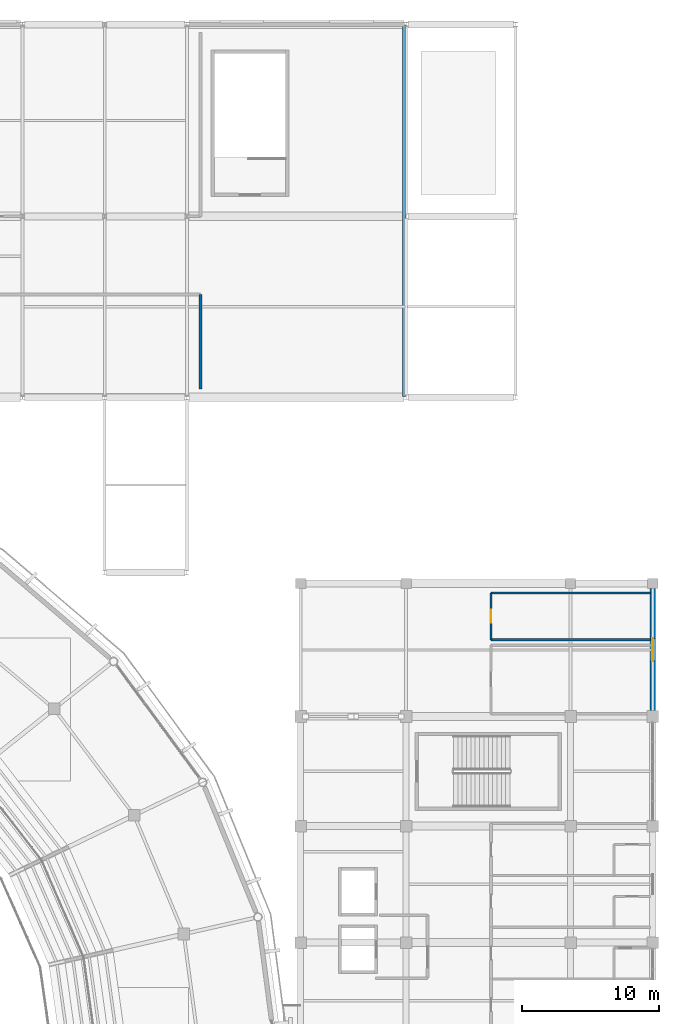
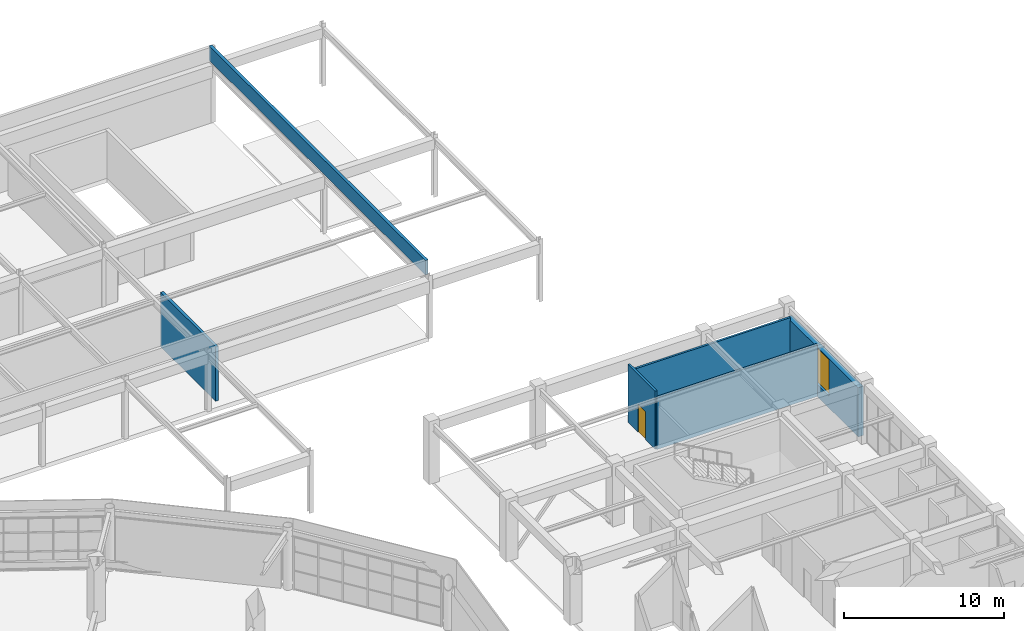
# One storey, part 106 of 122: 6 walls, 1 door, 1 window, 2 openings.
"""IFC4 building model written with IfcOpenShell, lengths in metres."""

from ifc_helpers import new_model, si_unit, direction, frame, frame_2d, origin, place, context, subcontext, project, spatial, rectangle, extrude, material, layer, layer_set, type_object, element, fill, save


model = new_model("IFC4")

# Units and contexts
model_context = context("Model", 3, precision=1e-05, world=origin(), true_north=direction((0.0, 1.0)))
body_context = subcontext(model_context, "Body", "Model", "MODEL_VIEW")
ifc_project = project(units=[si_unit("LENGTHUNIT", "METRE"), si_unit("AREAUNIT", "SQUARE_METRE"), si_unit("VOLUMEUNIT", "CUBIC_METRE"), si_unit("PLANEANGLEUNIT", "RADIAN"), si_unit("MASSUNIT", "GRAM", prefix="KILO")], contexts=[model_context])

# Site, building, storey
site_placement = place(None, origin())
site = spatial("IfcSite", under=ifc_project, at=site_placement, CompositionType="ELEMENT")
building_placement = place(site_placement, origin())
building = spatial("IfcBuilding", under=site, at=building_placement, Name="Cuetzalor Civic Arena", CompositionType="ELEMENT")
storey_placement = place(building_placement, frame((0.0, 0.0, 16.199951171875)))
storey = spatial("IfcBuildingStorey", under=building, at=storey_placement, Name="L03", CompositionType="ELEMENT", Elevation=16.199951171875)

# Walls
ifc_material_1 = material(Name="Acoustic steel-stud gypsum partition", Category="steel")
ifc_layer_1 = layer(ifc_material_1, 0.14990234375)
ifc_layer_set_1 = layer_set([ifc_layer_1], Name="Acoustic steel-stud gypsum partition")
wall_type_1 = type_object("IfcWallType", Name="AcousticGypsumPartition_150", PredefinedType="PARTITIONING", material=ifc_layer_set_1)
for number, where, z_axis, x_axis, name in (
    (1, (70.199951171875, 34.0, 0.0), (0.0, 0.0, 1.0), (1.0, 0.0, 0.0), "Interior Partition IWALL:L03:0486"),
    (2, (81.820068359375, 30.60009765625, 0.0), (0.0, 0.0, 1.0), (-1.0, 0.0, 0.0), "Interior Partition IWALL:L03:0487"),
):
    element("IfcWall", number, at=place(storey_placement, frame(where, z_axis=z_axis, x_axis=x_axis)), inside=storey, type_object=wall_type_1, Name=name, PredefinedType="PARTITIONING", context=body_context, shape_type="SweptSolid", body=[
        extrude(rectangle(XDim=11.6201171875, YDim=0.14990234375, at=frame_2d((5.81005859375, 0.0))), origin(), (0.0, 0.0, 1.0), 3.962158203125),
    ])

# Wall, opening, door
wall_1_placement = place(storey_placement, frame((70.199951171875, 30.60009765625, 0.0), z_axis=(0.0, 0.0, 1.0), x_axis=(0.0, 1.0, 0.0)))
wall_1 = element("IfcWall", 3, at=wall_1_placement, inside=storey, type_object=wall_type_1, Name="Interior Partition IWALL:L03:0488", PredefinedType="PARTITIONING", context=body_context, shape_type="SweptSolid", body=[
    extrude(rectangle(XDim=3.39990234375, YDim=0.14990234375, at=frame_2d((1.699951171875, 0.0))), origin(), (0.0, 0.0, 1.0), 4.43994140625),
])
opening_1_placement = place(wall_1_placement, frame((1.22509765625, 0.0, 0.0)))
opening_1 = element("IfcOpeningElement", 4, at=opening_1_placement, cuts=wall_1, Name="Opening ID-03", PredefinedType="OPENING", context=body_context, shape_type="SweptSolid", body=[
    extrude(rectangle(XDim=0.949951171875, YDim=2.14990234375, at=frame_2d((0.47509765625, 1.074951171875))), frame((0.0, 0.0849609375, 0.0), z_axis=(0.0, -1.0, 0.0), x_axis=(1.0, 0.0, 0.0)), (0.0, 0.0, 1.0), 0.169921875),
])
ifc_material_2 = material(Name="Painted steel frame and solid timber leaf", Category="steel")
door_type = type_object("IfcDoorType", Name="InteriorSingleDoor_950x2150", OperationType="NOTDEFINED", PredefinedType="DOOR", material=ifc_material_2)
door_placement = place(opening_1_placement, origin())
door = element("IfcDoor", 5, at=door_placement, inside=storey, type_object=door_type, Name="Door to Accessible WC East L03", OperationType="SINGLE_SWING_RIGHT", OverallHeight=2.14990234375, OverallWidth=0.949951171875, PredefinedType="DOOR", context=body_context, shape_type="SweptSolid", body=[
    extrude(rectangle(XDim=0.949951171875, YDim=2.14990234375, at=frame_2d((0.47509765625, 1.074951171875))), frame((0.0, 0.02490234375, 0.0), z_axis=(0.0, -1.0, 0.0), x_axis=(1.0, 0.0, 0.0)), (0.0, 0.0, 1.0), 0.050048828125),
])
fill(opening_1, door)

# Walls
ifc_material_3 = material(Name="Dark volcanic basalt parapet Concrete C35/45", Category="masonry")
ifc_layer_2 = layer(ifc_material_3, 0.2099609375)
ifc_layer_set_2 = layer_set([ifc_layer_2], Name="Dark volcanic basalt parapet Concrete C35/45")
wall_type_2 = type_object("IfcWallType", Name="BasaltRoofParapet_210", PredefinedType="PARAPET", material=ifc_layer_set_2)
wall_2_placement = place(storey_placement, frame((63.85009765625, 75.449951171875, 4.800048828125), z_axis=(0.0, 0.0, 1.0), x_axis=(0.0, -1.0, 0.0)))
element("IfcWall", 6, at=wall_2_placement, inside=storey, type_object=wall_type_2, Name="Roof Parapet 02 L03-250", PredefinedType="PARAPET", context=body_context, shape_type="SweptSolid", body=[
    extrude(rectangle(XDim=27.099853515625, YDim=0.2099609375, at=frame_2d((13.5498046875, 0.0))), origin(), (0.0, 0.0, 1.0), 1.10009765625),
])
ifc_material_4 = material(Name="Fire-rated masonry and gypsum partition", Category="masonry")
ifc_layer_3 = layer(ifc_material_4, 0.199951171875)
ifc_layer_set_3 = layer_set([ifc_layer_3], Name="Fire-rated masonry and gypsum partition")
wall_type_3 = type_object("IfcWallType", Name="FireCompartmentWall_200", PredefinedType="PARTITIONING", material=ifc_layer_set_3)
wall_3_placement = place(storey_placement, frame((49.0, 55.800048828125, 0.0), z_axis=(0.0, 0.0, 1.0), x_axis=(0.0, -1.0, 0.0)))
element("IfcWall", 7, at=wall_3_placement, inside=storey, type_object=wall_type_3, Name="Interior Partition IWALL:L03:0503", PredefinedType="PARTITIONING", context=body_context, shape_type="SweptSolid", body=[
    extrude(rectangle(XDim=6.900146484375, YDim=0.199951171875, at=frame_2d((3.4501953125, 0.0))), origin(), (0.0, 0.0, 1.0), 4.162109375),
])

# Wall, opening, window
ifc_material_5 = material(Name="Polychrome Talavera ceramic on Concrete C35/45", Category="concrete")
ifc_layer_4 = layer(ifc_material_5, 0.3798828125)
ifc_layer_set_4 = layer_set([ifc_layer_4], Name="Polychrome Talavera ceramic on Concrete C35/45")
wall_type_4 = type_object("IfcWallType", Name="TalaveraSpandrelWall_380", PredefinedType="SOLIDWALL", material=ifc_layer_set_4)
wall_4_placement = place(storey_placement, frame((82.0, 34.343017578125, 0.0), z_axis=(0.0, 0.0, 1.0), x_axis=(0.0, -1.0, 0.0)))
wall_4 = element("IfcWall", 8, at=wall_4_placement, inside=storey, type_object=wall_type_4, Name="V4E Outer Talavera Wall L03-173", PredefinedType="SOLIDWALL", context=body_context, shape_type="SweptSolid", body=[
    extrude(rectangle(XDim=8.93603515625, YDim=0.3798828125, at=frame_2d((4.468017578125, 0.0))), origin(), (0.0, 0.0, 1.0), 3.760009765625),
])
opening_2_placement = place(wall_4_placement, frame((3.64306640625, 0.0, 0.89990234375)))
opening_2 = element("IfcOpeningElement", 9, at=opening_2_placement, cuts=wall_4, Name="Opening WN-58", PredefinedType="OPENING", context=body_context, shape_type="SweptSolid", body=[
    extrude(rectangle(XDim=1.64990234375, YDim=2.800048828125, at=frame_2d((0.824951171875, 1.39990234375))), frame((0.0, 0.199951171875, 0.0), z_axis=(0.0, -1.0, 0.0), x_axis=(1.0, 0.0, 0.0)), (0.0, 0.0, 1.0), 0.39990234375),
])
ifc_material_6 = material(Name="Anodised bronze aluminium and low-E solar glass", Category="aluminium")
window_type = type_object("IfcWindowType", Name="BronzeThermalWindow_1650x2800", PartitioningType="SINGLE_PANEL", PredefinedType="WINDOW", material=ifc_material_6)
window_placement = place(opening_2_placement, origin())
window = element("IfcWindow", 10, at=window_placement, inside=storey, type_object=window_type, Name="V4E Facade Window L03-0058", OverallHeight=2.800048828125, OverallWidth=1.64990234375, PartitioningType="SINGLE_PANEL", PredefinedType="WINDOW", context=body_context, shape_type="SweptSolid", body=[
    extrude(rectangle(XDim=1.64990234375, YDim=2.800048828125, at=frame_2d((0.824951171875, 1.39990234375))), frame((0.0, 0.030029296875, 0.0), z_axis=(0.0, -1.0, 0.0), x_axis=(1.0, 0.0, 0.0)), (0.0, 0.0, 1.0), 0.06005859375),
])
fill(opening_2, window)

save(model, "model.ifc")
